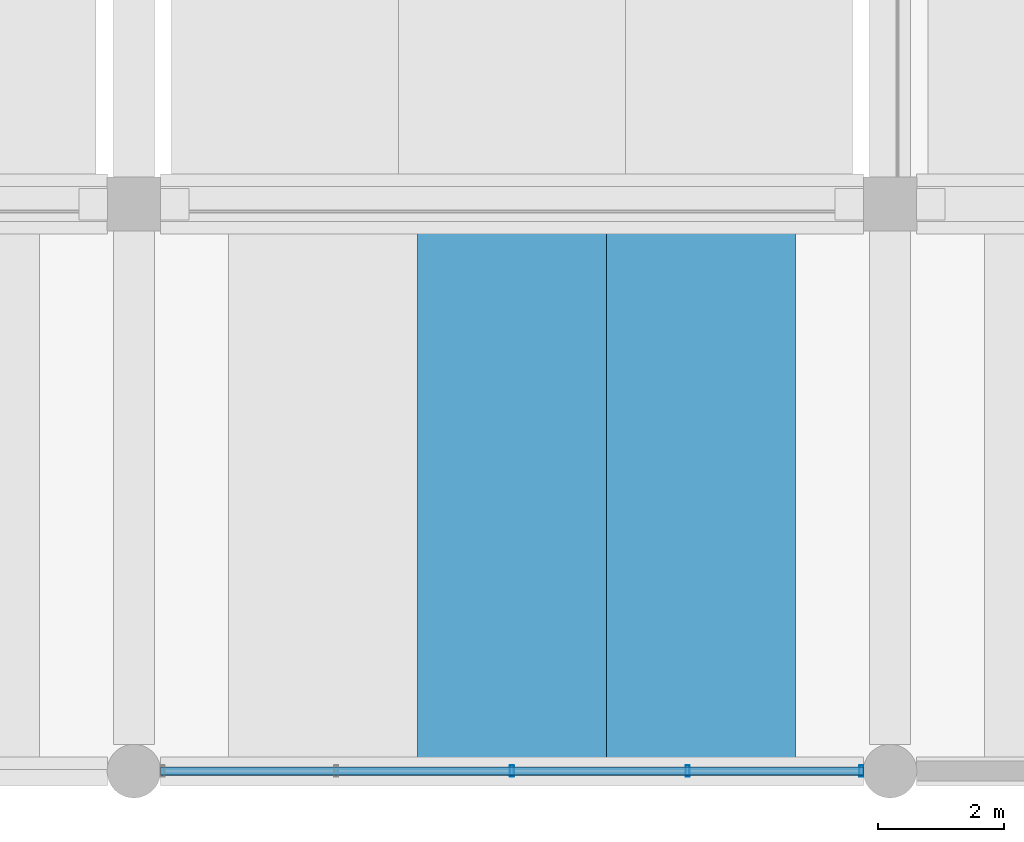
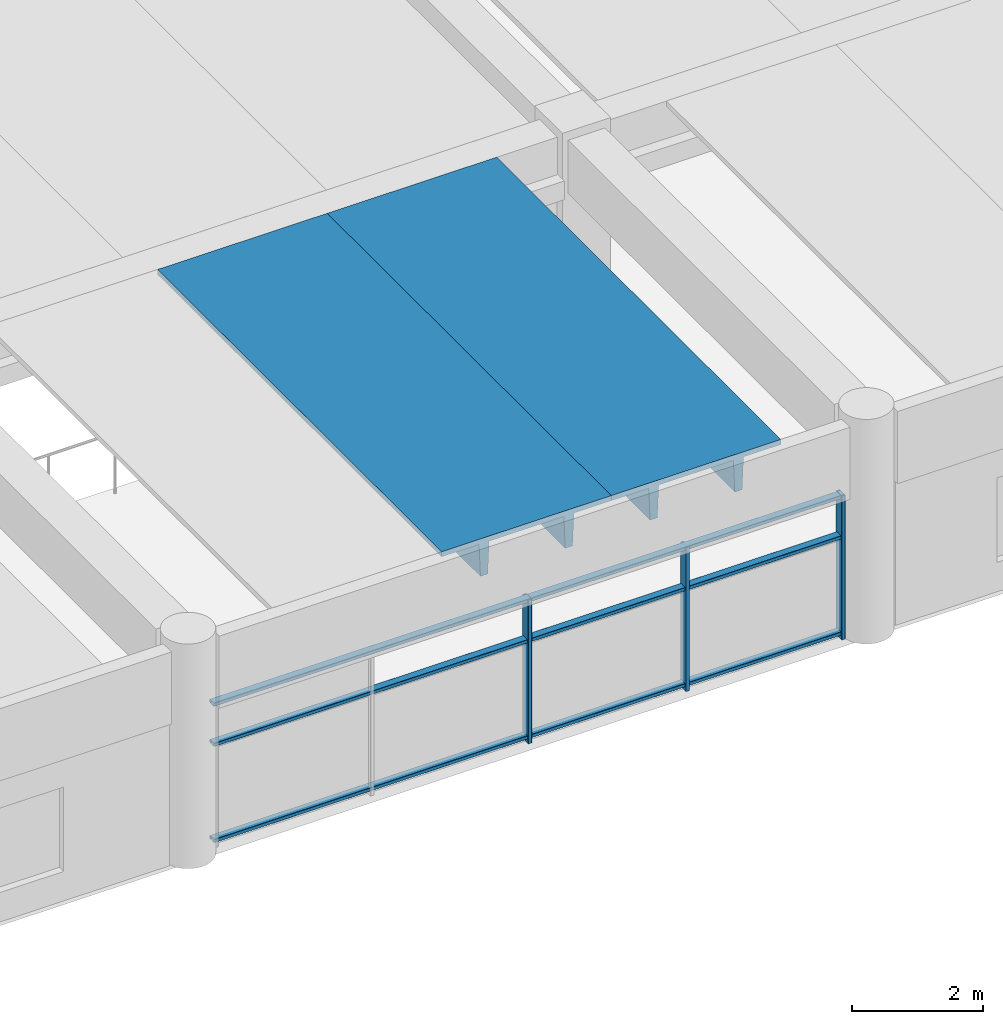
# One storey, part 11 of 50: 6 members, 2 beams, 1 element without a shape of its own.
"""IFC4 building model written with IfcOpenShell, lengths in metres."""

import ifcopenshell
import ifcopenshell.guid

model = None  # the IFC model being written
_history = None  # IfcOwnerHistory: only IFC2X3 demands one
_inside = {}  # id of a spatial element -> (the spatial element, [elements in it])
_under = {}  # id of a project, library or spatial element -> (it, [spatial elements below it])
_declared = {}  # id of a project -> (the project, [libraries it declares])
_typed = {}  # id of a type object -> (the type object, [elements of that type])
_made_of = {}  # id of a material, layer set ... -> (it, [elements and type objects made of it])


def new_model(schema):
    """Start an empty IFC model of exactly this schema.

    Asked for "IFC4X3", IfcOpenShell would pick the latest addendum, in which some entities
    have other attributes; the version numbers below select the first issue.
    IFC2X3 requires an IfcOwnerHistory on every rooted entity: one is made here for all.
    """
    global model, _history
    if schema == "IFC4X3":
        model = ifcopenshell.file(schema_version=(4, 3, 0, 0))
    else:
        model = ifcopenshell.file(schema=schema)
    _inside.clear()
    _under.clear()
    _declared.clear()
    _typed.clear()
    _made_of.clear()
    _history = None
    if model.schema == "IFC2X3":
        org = make("IfcOrganization", Name="unknown")
        user = make(
            "IfcPersonAndOrganization",
            ThePerson=make("IfcPerson", FamilyName="unknown"),
            TheOrganization=org,
        )
        app = make(
            "IfcApplication",
            ApplicationDeveloper=org,
            Version="unknown",
            ApplicationFullName="unknown",
            ApplicationIdentifier="unknown",
        )
        _history = make(
            "IfcOwnerHistory",
            OwningUser=user,
            OwningApplication=app,
            ChangeAction="ADDED",
            CreationDate=0,
        )
    return model


def make(cls, **values):
    """One entity of the class cls with the attributes given. An attribute that is None is left unset."""
    return model.create_entity(
        cls, **{name: value for name, value in values.items() if value is not None}
    )


def rooted(cls, **values):
    """An entity with a GlobalId (a new one), such as an element, a storey or a relation."""
    return make(cls, GlobalId=ifcopenshell.guid.new(), OwnerHistory=_history, **values)


def si_unit(unit_type, name, prefix=None):
    """IfcSIUnit, for example si_unit("LENGTHUNIT", "METRE", prefix="MILLI")."""
    return make("IfcSIUnit", UnitType=unit_type, Prefix=prefix, Name=name)


def assignment(units):
    """IfcUnitAssignment: the units of a project."""
    return None if units is None else make("IfcUnitAssignment", Units=units)


def point(xyz):
    """IfcCartesianPoint."""
    return None if xyz is None else make("IfcCartesianPoint", Coordinates=xyz)


def direction(xyz):
    """IfcDirection."""
    return None if xyz is None else make("IfcDirection", DirectionRatios=xyz)


def frame(location, z_axis=None, x_axis=None):
    """IfcAxis2Placement3D, a coordinate frame: its origin and axes. An axis left out is left unset."""
    return make(
        "IfcAxis2Placement3D",
        Location=point(location),
        Axis=direction(z_axis),
        RefDirection=direction(x_axis),
    )


def frame_2d(location, x_axis=None):
    """IfcAxis2Placement2D, a coordinate frame in the plane: its origin and x axis."""
    return make(
        "IfcAxis2Placement2D", Location=point(location), RefDirection=direction(x_axis)
    )


def origin():
    """The frame at (0, 0, 0) with its axes left unset."""
    return frame((0.0, 0.0, 0.0))


def origin_2d():
    """The frame at (0, 0) in the plane with its x axis left unset."""
    return frame_2d((0.0, 0.0))


def place(relative_to, where):
    """IfcLocalPlacement: puts the frame where relative to a parent placement (None: the world)."""
    return make(
        "IfcLocalPlacement", PlacementRelTo=relative_to, RelativePlacement=where
    )


def context(
    kind, dimensions, precision=None, world=None, true_north=None, identifier=None
):
    """IfcGeometricRepresentationContext, for example the 3D "Model" context."""
    return make(
        "IfcGeometricRepresentationContext",
        ContextIdentifier=identifier,
        ContextType=kind,
        CoordinateSpaceDimension=dimensions,
        Precision=precision,
        WorldCoordinateSystem=world,
        TrueNorth=true_north,
    )


def subcontext(parent, identifier, kind, view, scale=None):
    """IfcGeometricRepresentationSubContext, for example "Body" below "Model"."""
    return make(
        "IfcGeometricRepresentationSubContext",
        ContextIdentifier=identifier,
        ContextType=kind,
        ParentContext=parent,
        TargetScale=scale,
        TargetView=view,
    )


def project(units=None, contexts=None):
    """IfcProject with its units and contexts."""
    return rooted(
        "IfcProject",
        Name="project",
        RepresentationContexts=contexts,
        UnitsInContext=assignment(units),
    )


def spatial(cls, under=None, at=None, **own):
    """A site, building, storey or space (cls), placed at a placement, below another one or the project."""
    s = rooted(cls, ObjectPlacement=at, **own)
    if under is not None:
        _under.setdefault(under.id(), (under, []))[1].append(s)
    return s


def polyline(points):
    """IfcPolyline through the points."""
    return make("IfcPolyline", Points=[point(p) for p in points])


def profile(cls, at=None, kind="AREA", **sizes):
    """A parametric profile (cls). Its sizes go by their IFC names, for example OverallWidth=200.0."""
    return make(cls, ProfileType=kind, Position=at, **sizes)


def hollow_rectangle(**sizes):
    """IfcRectangleHollowProfileDef."""
    return profile("IfcRectangleHollowProfileDef", **sizes)


def outline(outer, holes=None, kind="AREA"):
    """IfcArbitraryClosedProfileDef: a profile drawn as a closed curve; with holes, ...WithVoids."""
    if holes is None:
        return make("IfcArbitraryClosedProfileDef", ProfileType=kind, OuterCurve=outer)
    return make(
        "IfcArbitraryProfileDefWithVoids",
        ProfileType=kind,
        OuterCurve=outer,
        InnerCurves=holes,
    )


def extrude(swept, where, along, depth):
    """IfcExtrudedAreaSolid: the profile swept, set in the frame where, extruded along a direction by depth."""
    return make(
        "IfcExtrudedAreaSolid",
        SweptArea=swept,
        Position=where,
        ExtrudedDirection=direction(along),
        Depth=depth,
    )


def shape(context_of_items, identifier, shape_type, items):
    """IfcShapeRepresentation: the items that make up one representation, for example the "Body"."""
    return make(
        "IfcShapeRepresentation",
        ContextOfItems=context_of_items,
        RepresentationIdentifier=identifier,
        RepresentationType=shape_type,
        Items=items,
    )


def material(Name=None, Category=None):
    """IfcMaterial."""
    return make("IfcMaterial", Name=Name, Category=Category)


def material_profile(
    of_material, cross_section, Name=None, Category=None, Priority=None
):
    """IfcMaterialProfile: a cross section and its material."""
    return make(
        "IfcMaterialProfile",
        Name=Name,
        Material=of_material,
        Profile=cross_section,
        Priority=Priority,
        Category=Category,
    )


def profile_set(profiles, Name=None, composite=None):
    """IfcMaterialProfileSet."""
    return make(
        "IfcMaterialProfileSet",
        Name=Name,
        MaterialProfiles=profiles,
        CompositeProfile=composite,
    )


def made_of(thing, what):
    """Note that an element or type object is made of a material, layer set ...; save() writes the relation."""
    if what is not None:
        _made_of.setdefault(what.id(), (what, []))[1].append(thing)
    return thing


def type_object(cls, material=None, **own):
    """A type object (cls), such as IfcWallType, which elements share."""
    return made_of(rooted(cls, **own), material)


def element(
    cls,
    number,
    at=None,
    inside=None,
    cuts=None,
    type_object=None,
    material=None,
    context=None,
    identifier="Body",
    shape_type=None,
    held_by="IfcProductDefinitionShape",
    body=None,
    shapes=None,
    **own,
):
    """One element of the class cls, such as IfcWall. Its Tag is "e" and its number.

    at: its placement. inside: the storey or other place that contains it. cuts: it is an
    opening in that element (IfcRelVoidsElement). A single representation is given by context,
    identifier, shape_type and body (its items); several are given by shapes. held_by: the class
    of the entity that holds the representations. save() writes the other relations.
    """
    e = rooted(cls, Tag="e%d" % number, ObjectPlacement=at, **own)
    if body is not None:
        shapes = [shape(context, identifier, shape_type, body)]
    if shapes is not None:
        e.Representation = make(held_by, Representations=shapes)
    if inside is not None:
        _inside.setdefault(inside.id(), (inside, []))[1].append(e)
    if cuts is not None:
        rooted(
            "IfcRelVoidsElement", RelatingBuildingElement=cuts, RelatedOpeningElement=e
        )
    if type_object is not None:
        _typed.setdefault(type_object.id(), (type_object, []))[1].append(e)
    return made_of(e, material)


def aggregate(whole, parts):
    """IfcRelAggregates: a whole, such as a stair, and the parts it consists of."""
    return rooted("IfcRelAggregates", RelatingObject=whole, RelatedObjects=parts)


def save(model, path):
    """Write the relations noted so far, then the file.

    IfcRelAggregates (storeys below a building ...), IfcRelContainedInSpatialStructure (elements
    in a storey), IfcRelDefinesByType, IfcRelAssociatesMaterial and IfcRelDeclares: one each for
    every whole, place, type object, material and project.
    """
    for whole, parts in _under.values():
        aggregate(whole, parts)
    for where, things in _inside.values():
        rooted(
            "IfcRelContainedInSpatialStructure",
            RelatedElements=things,
            RelatingStructure=where,
        )
    for kind, things in _typed.values():
        rooted("IfcRelDefinesByType", RelatedObjects=things, RelatingType=kind)
    for what, things in _made_of.values():
        rooted("IfcRelAssociatesMaterial", RelatedObjects=things, RelatingMaterial=what)
    for by, libraries in _declared.values():
        rooted("IfcRelDeclares", RelatingContext=by, RelatedDefinitions=libraries)
    model.write(path)


model = new_model("IFC4")

# Units and contexts
model_context = context("Model", 3, precision=1e-05, world=origin(), true_north=direction((0.0, 1.0)))
body_context = subcontext(model_context, "Body", "Model", "MODEL_VIEW")
ifc_project = project(units=[si_unit("LENGTHUNIT", "METRE"), si_unit("AREAUNIT", "SQUARE_METRE"), si_unit("VOLUMEUNIT", "CUBIC_METRE"), si_unit("PLANEANGLEUNIT", "RADIAN"), si_unit("MASSUNIT", "GRAM", prefix="KILO")], contexts=[model_context])

# Site, building, storey
site_placement = place(None, origin())
site = spatial("IfcSite", under=ifc_project, at=site_placement, CompositionType="ELEMENT")
building_placement = place(site_placement, origin())
building = spatial("IfcBuilding", under=site, at=building_placement, Name="Girod Span Mobility Hub", CompositionType="ELEMENT")
storey_placement = place(building_placement, frame((0.0, 0.0, 5.39990234375)))
storey = spatial("IfcBuildingStorey", under=building, at=storey_placement, Name="L01", CompositionType="ELEMENT", Elevation=5.39990234375)

# Beams
ifc_material_1 = material(Name="Concrete C50/60", Category="concrete")
ifc_material_profile_1 = material_profile(ifc_material_1, outline(polyline([(-1.5, 0.35009765625), (-1.5, 0.2548828125), (-0.840087890625, 0.2548828125), (-0.81494140625, -0.35009765625), (-0.68505859375, -0.35009765625), (-0.659912109375, 0.2548828125), (0.659912109375, 0.2548828125), (0.68505859375, -0.35009765625), (0.81494140625, -0.35009765625), (0.840087890625, 0.2548828125), (1.5, 0.2548828125), (1.5, 0.35009765625), (-1.5, 0.35009765625)])), Name="DT-3000X700")
ifc_profile_set_1 = profile_set([ifc_material_profile_1], Name="Concrete C50/60")
beam_type = type_object("IfcBeamType", Name="BM-DT-3000X700", PredefinedType="JOIST", material=ifc_profile_set_1)
for number, where, z_axis, x_axis, name in (
    (1, (66.0, 0.02197265625, 3.690185546875), (0.0, 1.0, 0.0), (-1.0, 0.0, 0.0), "Double-Tee Deck 6/A-2 L01"),
    (2, (69.0, 0.02197265625, 3.690185546875), (0.0, 1.0, 0.0), (-1.0, 0.0, 0.0), "Double-Tee Deck 6/A-3 L01"),
):
    element("IfcBeam", number, at=place(storey_placement, frame(where, z_axis=z_axis, x_axis=x_axis)), inside=storey, type_object=beam_type, Name=name, PredefinedType="JOIST", context=body_context, shape_type="SweptSolid", body=[
        extrude(outline(polyline([(-1.5, 0.35009765625), (-1.5, 0.2548828125), (-0.840087890625, 0.2548828125), (-0.81494140625, -0.35009765625), (-0.68505859375, -0.35009765625), (-0.659912109375, 0.2548828125), (0.659912109375, 0.2548828125), (0.68505859375, -0.35009765625), (0.81494140625, -0.35009765625), (0.840087890625, 0.2548828125), (1.5, 0.2548828125), (1.5, 0.35009765625), (-1.5, 0.35009765625)])), origin(), (0.0, 0.0, 1.0), 8.7060546875),
    ])

# Curtain wall, members
ifc_material_2 = material(Name="Thermally Broken Anodised Aluminium", Category="aluminium")
curtain_wall_type = type_object("IfcCurtainWallType", Name="CW-1115X269", PredefinedType="USERDEFINED", material=ifc_material_2)
curtain_wall_placement = place(storey_placement, origin())
curtain_wall = element("IfcCurtainWall", 3, at=curtain_wall_placement, inside=storey, type_object=curtain_wall_type, Name="Concourse Storefront CW-L01-S06 L01", ObjectType="CONCOURSE STOREFRONT", PredefinedType="USERDEFINED")
ifc_material_3 = material(Name="Thermally Broken Anodised Aluminium", Category="aluminium")
ifc_material_profile_2 = material_profile(ifc_material_3, hollow_rectangle(XDim=0.179931640625, YDim=0.06494140625, WallThickness=0.00390625, InnerFilletRadius=0.00390625, OuterFilletRadius=0.008056640625, at=origin_2d()), Name="CW-ML-65X180")
ifc_profile_set_2 = profile_set([ifc_material_profile_2], Name="Thermally Broken Anodised Aluminium")
member_type_1 = type_object("IfcMemberType", Name="CWM-ML-2", PredefinedType="MULLION", material=ifc_profile_set_2)
member_1_placement = place(storey_placement, frame((66.0, 0.0, 0.0), z_axis=(0.0, 0.0, 1.0), x_axis=(0.0, 1.0, 0.0)))
member_1 = element("IfcMember", 4, at=member_1_placement, type_object=member_type_1, Name="Curtain Wall Mullion CW-L01-S06-M2", PredefinedType="MULLION", context=body_context, shape_type="SweptSolid", body=[
    extrude(hollow_rectangle(XDim=0.179931640625, YDim=0.06494140625, WallThickness=0.00390625, InnerFilletRadius=0.00390625, OuterFilletRadius=0.008056640625, at=origin_2d()), origin(), (0.0, 0.0, 1.0), 2.690185546875),
])
member_2_placement = place(storey_placement, frame((68.78857421875, 0.0, 0.0), z_axis=(0.0, 0.0, 1.0), x_axis=(0.0, 1.0, 0.0)))
member_2 = element("IfcMember", 5, at=member_2_placement, type_object=member_type_1, Name="Curtain Wall Mullion CW-L01-S06-M3", PredefinedType="MULLION", context=body_context, shape_type="SweptSolid", body=[
    extrude(hollow_rectangle(XDim=0.179931640625, YDim=0.06494140625, WallThickness=0.00390625, InnerFilletRadius=0.00390625, OuterFilletRadius=0.008056640625, at=origin_2d()), origin(), (0.0, 0.0, 1.0), 2.690185546875),
])
member_3_placement = place(storey_placement, frame((71.544921875, 0.0, 0.0), z_axis=(0.0, 0.0, 1.0), x_axis=(0.0, 1.0, 0.0)))
member_3 = element("IfcMember", 6, at=member_3_placement, type_object=member_type_1, Name="Curtain Wall Mullion CW-L01-S06-M4", PredefinedType="MULLION", context=body_context, shape_type="SweptSolid", body=[
    extrude(hollow_rectangle(XDim=0.179931640625, YDim=0.06494140625, WallThickness=0.00390625, InnerFilletRadius=0.00390625, OuterFilletRadius=0.008056640625, at=origin_2d()), origin(), (0.0, 0.0, 1.0), 2.690185546875),
])
ifc_material_4 = material(Name="Thermally Broken Anodised Aluminium", Category="aluminium")
ifc_material_profile_3 = material_profile(ifc_material_4, hollow_rectangle(XDim=0.135009765625, YDim=0.06494140625, WallThickness=0.00390625, InnerFilletRadius=0.00390625, OuterFilletRadius=0.008056640625, at=origin_2d()), Name="CW-TR-65X135")
ifc_profile_set_3 = profile_set([ifc_material_profile_3], Name="Thermally Broken Anodised Aluminium")
member_type_2 = type_object("IfcMemberType", Name="CWM-TR-2", PredefinedType="USERDEFINED", material=ifc_profile_set_3)
member_4_placement = place(storey_placement, frame((60.423095703125, 0.0, 0.107666015625), z_axis=(1.0, 0.0, 0.0), x_axis=(0.0, 1.0, 0.0)))
member_4 = element("IfcMember", 7, at=member_4_placement, type_object=member_type_2, Name="Curtain Wall Transom CW-L01-S06-T1", ObjectType="TRANSOM", PredefinedType="USERDEFINED", context=body_context, shape_type="SweptSolid", body=[
    extrude(hollow_rectangle(XDim=0.135009765625, YDim=0.06494140625, WallThickness=0.00390625, InnerFilletRadius=0.00390625, OuterFilletRadius=0.008056640625, at=origin_2d()), origin(), (0.0, 0.0, 1.0), 11.15380859375),
])
member_5_placement = place(storey_placement, frame((60.423095703125, 0.0, 1.904296875), z_axis=(1.0, 0.0, 0.0), x_axis=(0.0, 1.0, 0.0)))
member_5 = element("IfcMember", 8, at=member_5_placement, type_object=member_type_2, Name="Curtain Wall Transom CW-L01-S06-T2", ObjectType="TRANSOM", PredefinedType="USERDEFINED", context=body_context, shape_type="SweptSolid", body=[
    extrude(hollow_rectangle(XDim=0.135009765625, YDim=0.06494140625, WallThickness=0.00390625, InnerFilletRadius=0.00390625, OuterFilletRadius=0.008056640625, at=origin_2d()), origin(), (0.0, 0.0, 1.0), 11.15380859375),
])
member_6_placement = place(storey_placement, frame((60.423095703125, 0.0, 2.65771484375), z_axis=(1.0, 0.0, 0.0), x_axis=(0.0, 1.0, 0.0)))
member_6 = element("IfcMember", 9, at=member_6_placement, type_object=member_type_2, Name="Curtain Wall Transom CW-L01-S06-T3", ObjectType="TRANSOM", PredefinedType="USERDEFINED", context=body_context, shape_type="SweptSolid", body=[
    extrude(hollow_rectangle(XDim=0.135009765625, YDim=0.06494140625, WallThickness=0.00390625, InnerFilletRadius=0.00390625, OuterFilletRadius=0.008056640625, at=origin_2d()), origin(), (0.0, 0.0, 1.0), 11.15380859375),
])
aggregate(curtain_wall, [member_1, member_2, member_3, member_4, member_5, member_6])

save(model, "model.ifc")
